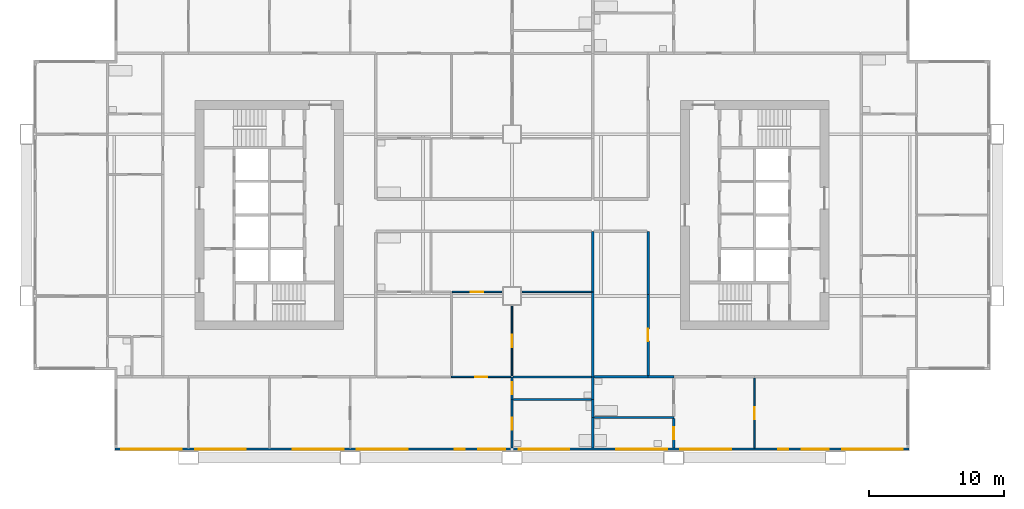
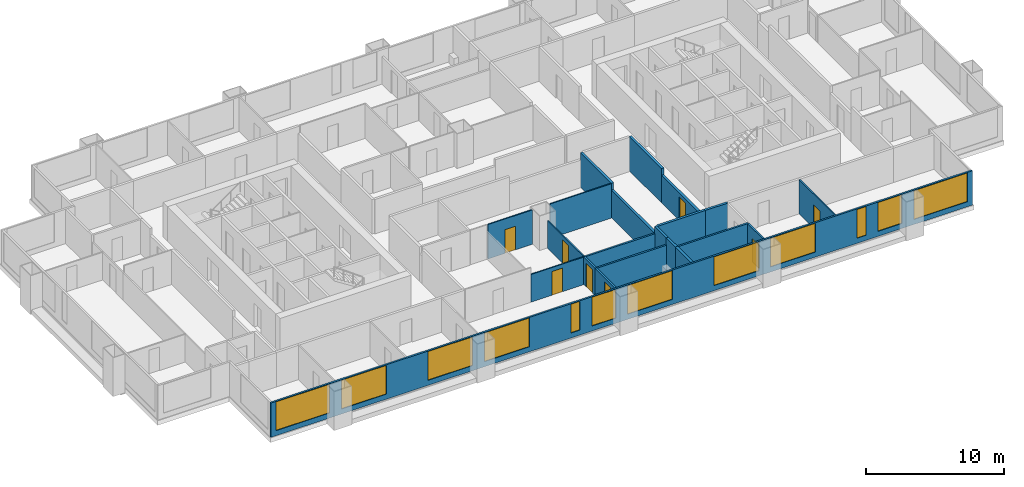
# One storey, part 5 of 11: 21 walls, 12 windows, 8 doors, 20 openings.
"""IFC4 building model written with IfcOpenShell, lengths in metres."""

from ifc_helpers import new_model, si_unit, direction, frame, frame_2d, origin, place, context, subcontext, project, spatial, rectangle, extrude, material, layer, layer_set, type_object, element, fill, save


model = new_model("IFC4")

# Units and contexts
model_context = context("Model", 3, precision=1e-05, world=origin(), true_north=direction((0.0, 1.0)))
body_context = subcontext(model_context, "Body", "Model", "MODEL_VIEW")
ifc_project = project(units=[si_unit("LENGTHUNIT", "METRE"), si_unit("AREAUNIT", "SQUARE_METRE"), si_unit("VOLUMEUNIT", "CUBIC_METRE"), si_unit("PLANEANGLEUNIT", "RADIAN"), si_unit("MASSUNIT", "GRAM", prefix="KILO")], contexts=[model_context])

# Site, building, storey
site_placement = place(None, origin())
site = spatial("IfcSite", under=ifc_project, at=site_placement, CompositionType="ELEMENT")
building_placement = place(site_placement, origin())
building = spatial("IfcBuilding", under=site, at=building_placement, Name="Kitamizu Gate Tower and Museum", CompositionType="ELEMENT")
storey_placement = place(building_placement, frame((0.0, 0.0, 120.75)))
storey = spatial("IfcBuildingStorey", under=building, at=storey_placement, Name="L31", CompositionType="ELEMENT", Elevation=120.75)

# Wall, opening, door
ifc_material_1 = material(Name="Gypsum board on galvanised stud")
ifc_layer_1 = layer(ifc_material_1, 0.10009765625)
ifc_layer_set_1 = layer_set([ifc_layer_1], Name="Gypsum board on galvanised stud")
wall_type_1 = type_object("IfcWallType", Name="Partition 100 NOT RATED", PredefinedType="PARTITIONING", material=ifc_layer_set_1)
wall_1_placement = place(storey_placement, frame((35.925048828125, 18.0, 0.0), z_axis=(0.0, 0.0, 1.0), x_axis=(-1.0, 0.0, 0.0)))
wall_1 = element("IfcWall", 1, at=wall_1_placement, inside=storey, type_object=wall_type_1, Name="Partition L31-012", PredefinedType="PARTITIONING", context=body_context, shape_type="SweptSolid", body=[
    extrude(rectangle(XDim=4.425048828125, YDim=0.10009765625, at=frame_2d((2.21240234375, 0.0))), origin(), (0.0, 0.0, 1.0), 2.449951171875),
])
opening_1_placement = place(wall_1_placement, frame((1.762451171875, 0.0, 0.0)))
opening_1 = element("IfcOpeningElement", 2, at=opening_1_placement, cuts=wall_1, Name="Opening L31-004", PredefinedType="OPENING", context=body_context, shape_type="SweptSolid", body=[
    extrude(rectangle(XDim=0.89990234375, YDim=2.10009765625, at=frame_2d((0.449951171875, 1.050048828125))), frame((0.0, 0.06005859375, 0.0), z_axis=(0.0, -1.0, 0.0), x_axis=(1.0, 0.0, 0.0)), (0.0, 0.0, 1.0), 0.1201171875),
])
ifc_material_2 = material(Name="Timber door set", Category="wood")
door_type_1 = type_object("IfcDoorType", Name="Room door 900", OperationType="NOTDEFINED", PredefinedType="DOOR", material=ifc_material_2)
door_1_placement = place(opening_1_placement, frame((0.89990234375, 0.0, 0.0), x_axis=(-1.0, 0.0, 0.0)))
door_1 = element("IfcDoor", 3, at=door_1_placement, inside=storey, type_object=door_type_1, Name="Door L31-004", OperationType="SINGLE_SWING_RIGHT", OverallHeight=2.10009765625, OverallWidth=0.89990234375, PredefinedType="DOOR", context=body_context, shape_type="SweptSolid", body=[
    extrude(rectangle(XDim=0.89990234375, YDim=2.10009765625, at=frame_2d((0.449951171875, 1.050048828125))), frame((0.0, 0.02490234375, 0.0), z_axis=(0.0, -1.0, 0.0), x_axis=(1.0, 0.0, 0.0)), (0.0, 0.0, 1.0), 0.050048828125),
])
fill(opening_1, door_1)

wall_2_placement = place(storey_placement, frame((36.0, 18.074951171875, 0.0), z_axis=(0.0, 0.0, 1.0), x_axis=(0.0, 1.0, 0.0)))
wall_2 = element("IfcWall", 4, at=wall_2_placement, inside=storey, type_object=wall_type_1, Name="Partition L31-024", PredefinedType="PARTITIONING", context=body_context, shape_type="SweptSolid", body=[
    extrude(rectangle(XDim=5.175048828125, YDim=0.10009765625, at=frame_2d((2.58740234375, 0.0))), origin(), (0.0, 0.0, 1.0), 2.449951171875),
])
opening_2_placement = place(wall_2_placement, frame((2.137451171875, 0.0, 0.0)))
opening_2 = element("IfcOpeningElement", 5, at=opening_2_placement, cuts=wall_2, Name="Opening L31-008", PredefinedType="OPENING", context=body_context, shape_type="SweptSolid", body=[
    extrude(rectangle(XDim=0.89990234375, YDim=2.10009765625, at=frame_2d((0.449951171875, 1.050048828125))), frame((0.0, 0.06005859375, 0.0), z_axis=(0.0, -1.0, 0.0), x_axis=(1.0, 0.0, 0.0)), (0.0, 0.0, 1.0), 0.1201171875),
])
door_2_placement = place(opening_2_placement, origin())
door_2 = element("IfcDoor", 6, at=door_2_placement, inside=storey, type_object=door_type_1, Name="Door L31-008", OperationType="SINGLE_SWING_LEFT", OverallHeight=2.10009765625, OverallWidth=0.89990234375, PredefinedType="DOOR", context=body_context, shape_type="SweptSolid", body=[
    extrude(rectangle(XDim=0.89990234375, YDim=2.10009765625, at=frame_2d((0.449951171875, 1.050048828125))), frame((0.0, 0.02490234375, 0.0), z_axis=(0.0, -1.0, 0.0), x_axis=(1.0, 0.0, 0.0)), (0.0, 0.0, 1.0), 0.050048828125),
])
fill(opening_2, door_2)

wall_3_placement = place(storey_placement, frame((35.25, 24.300048828125, 0.0), z_axis=(0.0, 0.0, 1.0), x_axis=(-1.0, 0.0, 0.0)))
wall_3 = element("IfcWall", 7, at=wall_3_placement, inside=storey, type_object=wall_type_1, Name="Partition L31-025", PredefinedType="PARTITIONING", context=body_context, shape_type="SweptSolid", body=[
    extrude(rectangle(XDim=3.699951171875, YDim=0.10009765625, at=frame_2d((1.85009765625, 0.0))), origin(), (0.0, 0.0, 1.0), 3.050048828125),
])
opening_3_placement = place(wall_3_placement, frame((1.39990234375, 0.0, 0.0)))
opening_3 = element("IfcOpeningElement", 8, at=opening_3_placement, cuts=wall_3, Name="Opening L31-010", PredefinedType="OPENING", context=body_context, shape_type="SweptSolid", body=[
    extrude(rectangle(XDim=0.89990234375, YDim=2.10009765625, at=frame_2d((0.449951171875, 1.050048828125))), frame((0.0, 0.06005859375, 0.0), z_axis=(0.0, -1.0, 0.0), x_axis=(1.0, 0.0, 0.0)), (0.0, 0.0, 1.0), 0.1201171875),
])
door_3_placement = place(opening_3_placement, origin())
door_3 = element("IfcDoor", 9, at=door_3_placement, inside=storey, type_object=door_type_1, Name="Door L31-010", OperationType="SINGLE_SWING_LEFT", OverallHeight=2.10009765625, OverallWidth=0.89990234375, PredefinedType="DOOR", context=body_context, shape_type="SweptSolid", body=[
    extrude(rectangle(XDim=0.89990234375, YDim=2.10009765625, at=frame_2d((0.449951171875, 1.050048828125))), frame((0.0, 0.02490234375, 0.0), z_axis=(0.0, -1.0, 0.0), x_axis=(1.0, 0.0, 0.0)), (0.0, 0.0, 1.0), 0.050048828125),
])
fill(opening_3, door_3)

# Wall
wall_4_placement = place(storey_placement, frame((41.89990234375, 24.300048828125, 0.0), z_axis=(0.0, 0.0, 1.0), x_axis=(-1.0, 0.0, 0.0)))
element("IfcWall", 10, at=wall_4_placement, inside=storey, type_object=wall_type_1, Name="Partition L31-026", PredefinedType="PARTITIONING", context=body_context, shape_type="SweptSolid", body=[
    extrude(rectangle(XDim=5.14990234375, YDim=0.10009765625, at=frame_2d((2.574951171875, 0.0))), origin(), (0.0, 0.0, 1.0), 3.050048828125),
])

# Wall, opening, door
wall_5_placement = place(storey_placement, frame((54.0, 12.719970703125, 0.0), z_axis=(0.0, 0.0, 1.0), x_axis=(0.0, 1.0, 0.0)))
wall_5 = element("IfcWall", 11, at=wall_5_placement, inside=storey, type_object=wall_type_1, Name="Partition L31-091", PredefinedType="PARTITIONING", context=body_context, shape_type="SweptSolid", body=[
    extrude(rectangle(XDim=5.179931640625, YDim=0.10009765625, at=frame_2d((2.58984375, 0.0))), origin(), (0.0, 0.0, 1.0), 3.050048828125),
])
opening_4_placement = place(wall_5_placement, frame((2.139892578125, 0.0, 0.0)))
opening_4 = element("IfcOpeningElement", 12, at=opening_4_placement, cuts=wall_5, Name="Opening L31-032", PredefinedType="OPENING", context=body_context, shape_type="SweptSolid", body=[
    extrude(rectangle(XDim=0.89990234375, YDim=2.10009765625, at=frame_2d((0.449951171875, 1.050048828125))), frame((0.0, 0.06005859375, 0.0), z_axis=(0.0, -1.0, 0.0), x_axis=(1.0, 0.0, 0.0)), (0.0, 0.0, 1.0), 0.1201171875),
])
door_4_placement = place(opening_4_placement, frame((0.89990234375, 0.0, 0.0), x_axis=(-1.0, 0.0, 0.0)))
door_4 = element("IfcDoor", 13, at=door_4_placement, inside=storey, type_object=door_type_1, Name="Door L31-032", OperationType="SINGLE_SWING_RIGHT", OverallHeight=2.10009765625, OverallWidth=0.89990234375, PredefinedType="DOOR", context=body_context, shape_type="SweptSolid", body=[
    extrude(rectangle(XDim=0.89990234375, YDim=2.10009765625, at=frame_2d((0.449951171875, 1.050048828125))), frame((0.0, 0.02490234375, 0.0), z_axis=(0.0, -1.0, 0.0), x_axis=(1.0, 0.0, 0.0)), (0.0, 0.0, 1.0), 0.050048828125),
])
fill(opening_4, door_4)

ifc_material_3 = material(Name="Gypsum board on galvanised stud")
ifc_layer_2 = layer(ifc_material_3, 0.14990234375)
ifc_layer_set_2 = layer_set([ifc_layer_2], Name="Gypsum board on galvanised stud")
wall_type_2 = type_object("IfcWallType", Name="Partition 150", PredefinedType="PARTITIONING", material=ifc_layer_set_2)
wall_6_placement = place(storey_placement, frame((36.0, 12.719970703125, 0.0), z_axis=(0.0, 0.0, 1.0), x_axis=(0.0, 1.0, 0.0)))
wall_6 = element("IfcWall", 14, at=wall_6_placement, inside=storey, type_object=wall_type_2, Name="Partition L31-009", PredefinedType="PARTITIONING", context=body_context, shape_type="SweptSolid", body=[
    extrude(rectangle(XDim=3.60009765625, YDim=0.14990234375, at=frame_2d((1.800048828125, 0.0))), origin(), (0.0, 0.0, 1.0), 2.449951171875),
])
opening_5_placement = place(wall_6_placement, frame((1.35009765625, 0.0, 0.0)))
opening_5 = element("IfcOpeningElement", 15, at=opening_5_placement, cuts=wall_6, Name="Opening L31-005", PredefinedType="OPENING", context=body_context, shape_type="SweptSolid", body=[
    extrude(rectangle(XDim=0.89990234375, YDim=2.10009765625, at=frame_2d((0.449951171875, 1.050048828125))), frame((0.0, 0.0849609375, 0.0), z_axis=(0.0, -1.0, 0.0), x_axis=(1.0, 0.0, 0.0)), (0.0, 0.0, 1.0), 0.169921875),
])
ifc_material_4 = material(Name="Timber door set", Category="wood")
door_type_2 = type_object("IfcDoorType", Name="Bathroom door 900", OperationType="NOTDEFINED", PredefinedType="DOOR", material=ifc_material_4)
door_5_placement = place(opening_5_placement, frame((0.89990234375, 0.0, 0.0), x_axis=(-1.0, 0.0, 0.0)))
door_5 = element("IfcDoor", 16, at=door_5_placement, inside=storey, type_object=door_type_2, Name="Bathroom door L31-005", OperationType="SINGLE_SWING_LEFT", OverallHeight=2.10009765625, OverallWidth=0.89990234375, PredefinedType="DOOR", context=body_context, shape_type="SweptSolid", body=[
    extrude(rectangle(XDim=0.89990234375, YDim=2.10009765625, at=frame_2d((0.449951171875, 1.050048828125))), frame((0.0, 0.02490234375, 0.0), z_axis=(0.0, -1.0, 0.0), x_axis=(1.0, 0.0, 0.0)), (0.0, 0.0, 1.0), 0.050048828125),
])
fill(opening_5, door_5)

wall_7_placement = place(storey_placement, frame((36.0, 16.320068359375, 0.0), z_axis=(0.0, 0.0, 1.0), x_axis=(0.0, 1.0, 0.0)))
wall_7 = element("IfcWall", 17, at=wall_7_placement, inside=storey, type_object=wall_type_2, Name="Partition L31-010", PredefinedType="PARTITIONING", context=body_context, shape_type="SweptSolid", body=[
    extrude(rectangle(XDim=1.679931640625, YDim=0.14990234375, at=frame_2d((0.83984375, 0.0))), origin(), (0.0, 0.0, 1.0), 2.449951171875),
])
opening_6_placement = place(wall_7_placement, frame((0.389892578125, 0.0, 0.0)))
opening_6 = element("IfcOpeningElement", 18, at=opening_6_placement, cuts=wall_7, Name="Opening L31-007", PredefinedType="OPENING", context=body_context, shape_type="SweptSolid", body=[
    extrude(rectangle(XDim=0.89990234375, YDim=2.10009765625, at=frame_2d((0.449951171875, 1.050048828125))), frame((0.0, 0.0849609375, 0.0), z_axis=(0.0, -1.0, 0.0), x_axis=(1.0, 0.0, 0.0)), (0.0, 0.0, 1.0), 0.169921875),
])
door_6_placement = place(opening_6_placement, frame((0.89990234375, 0.0, 0.0), x_axis=(-1.0, 0.0, 0.0)))
door_6 = element("IfcDoor", 19, at=door_6_placement, inside=storey, type_object=door_type_2, Name="Bathroom door L31-007", OperationType="SINGLE_SWING_LEFT", OverallHeight=2.10009765625, OverallWidth=0.89990234375, PredefinedType="DOOR", context=body_context, shape_type="SweptSolid", body=[
    extrude(rectangle(XDim=0.89990234375, YDim=2.10009765625, at=frame_2d((0.449951171875, 1.050048828125))), frame((0.0, 0.02490234375, 0.0), z_axis=(0.0, -1.0, 0.0), x_axis=(1.0, 0.0, 0.0)), (0.0, 0.0, 1.0), 0.050048828125),
])
fill(opening_6, door_6)

# Walls
for number, where, z_axis, x_axis, name in (
    (20, (41.89990234375, 16.320068359375, 0.0), (0.0, 0.0, 1.0), (-1.0, 0.0, 0.0), "Partition L31-014"),
    (21, (41.89990234375, 18.0, 0.0), (0.0, 0.0, 1.0), (-1.0, 0.0, 0.0), "Partition L31-017"),
):
    element("IfcWall", number, at=place(storey_placement, frame(where, z_axis=z_axis, x_axis=x_axis)), inside=storey, type_object=wall_type_2, Name=name, PredefinedType="PARTITIONING", context=body_context, shape_type="SweptSolid", body=[
        extrude(rectangle(XDim=5.824951171875, YDim=0.14990234375, at=frame_2d((2.91259765625, 0.0))), origin(), (0.0, 0.0, 1.0), 2.449951171875),
    ])
wall_8_placement = place(storey_placement, frame((48.0, 15.0, 0.0), z_axis=(0.0, 0.0, 1.0), x_axis=(-1.0, 0.0, 0.0)))
element("IfcWall", 22, at=wall_8_placement, inside=storey, type_object=wall_type_2, Name="Partition L31-086", PredefinedType="PARTITIONING", context=body_context, shape_type="SweptSolid", body=[
    extrude(rectangle(XDim=5.89990234375, YDim=0.14990234375, at=frame_2d((2.949951171875, 0.0))), origin(), (0.0, 0.0, 1.0), 3.050048828125),
])

# Wall, opening, door
wall_9_placement = place(storey_placement, frame((48.0, 12.719970703125, 0.0), z_axis=(0.0, 0.0, 1.0), x_axis=(0.0, 1.0, 0.0)))
wall_9 = element("IfcWall", 23, at=wall_9_placement, inside=storey, type_object=wall_type_2, Name="Partition L31-087", PredefinedType="PARTITIONING", context=body_context, shape_type="SweptSolid", body=[
    extrude(rectangle(XDim=2.205078125, YDim=0.14990234375, at=frame_2d((1.1025390625, 0.0))), origin(), (0.0, 0.0, 1.0), 3.050048828125),
])
opening_7_placement = place(wall_9_placement, frame((0.652587890625, 0.0, 0.0)))
opening_7 = element("IfcOpeningElement", 24, at=opening_7_placement, cuts=wall_9, Name="Opening L31-033", PredefinedType="OPENING", context=body_context, shape_type="SweptSolid", body=[
    extrude(rectangle(XDim=0.89990234375, YDim=2.10009765625, at=frame_2d((0.449951171875, 1.050048828125))), frame((0.0, 0.0849609375, 0.0), z_axis=(0.0, -1.0, 0.0), x_axis=(1.0, 0.0, 0.0)), (0.0, 0.0, 1.0), 0.169921875),
])
door_7_placement = place(opening_7_placement, origin())
door_7 = element("IfcDoor", 25, at=door_7_placement, inside=storey, type_object=door_type_2, Name="Bathroom door L31-033", OperationType="SINGLE_SWING_RIGHT", OverallHeight=2.10009765625, OverallWidth=0.89990234375, PredefinedType="DOOR", context=body_context, shape_type="SweptSolid", body=[
    extrude(rectangle(XDim=0.89990234375, YDim=2.10009765625, at=frame_2d((0.449951171875, 1.050048828125))), frame((0.0, 0.02490234375, 0.0), z_axis=(0.0, -1.0, 0.0), x_axis=(1.0, 0.0, 0.0)), (0.0, 0.0, 1.0), 0.050048828125),
])
fill(opening_7, door_7)

# Walls
ifc_material_5 = material(Name="Gypsum board on galvanised stud")
ifc_layer_3 = layer(ifc_material_5, 0.199951171875)
ifc_layer_set_3 = layer_set([ifc_layer_3], Name="Gypsum board on galvanised stud")
wall_type_3 = type_object("IfcWallType", Name="Partition 200", PredefinedType="PARTITIONING", material=ifc_layer_set_3)
wall_10_placement = place(storey_placement, frame((42.0, 12.719970703125, 0.0), z_axis=(0.0, 0.0, 1.0), x_axis=(0.0, 1.0, 0.0)))
element("IfcWall", 26, at=wall_10_placement, inside=storey, type_object=wall_type_3, Name="Partition L31-015", PredefinedType="PARTITIONING", context=body_context, shape_type="SweptSolid", body=[
    extrude(rectangle(XDim=2.280029296875, YDim=0.199951171875, at=frame_2d((1.14013671875, 0.0))), origin(), (0.0, 0.0, 1.0), 3.050048828125),
])
wall_11_placement = place(storey_placement, frame((42.0, 15.0, 0.0), z_axis=(0.0, 0.0, 1.0), x_axis=(0.0, 1.0, 0.0)))
element("IfcWall", 27, at=wall_11_placement, inside=storey, type_object=wall_type_3, Name="Partition L31-016", PredefinedType="PARTITIONING", context=body_context, shape_type="SweptSolid", body=[
    extrude(rectangle(XDim=1.320068359375, YDim=0.199951171875, at=frame_2d((0.66015625, 0.0))), origin(), (0.0, 0.0, 1.0), 3.050048828125),
])
wall_12_placement = place(storey_placement, frame((42.0, 16.320068359375, 0.0), z_axis=(0.0, 0.0, 1.0), x_axis=(0.0, 1.0, 0.0)))
element("IfcWall", 28, at=wall_12_placement, inside=storey, type_object=wall_type_3, Name="Partition L31-018", PredefinedType="PARTITIONING", context=body_context, shape_type="SweptSolid", body=[
    extrude(rectangle(XDim=1.679931640625, YDim=0.199951171875, at=frame_2d((0.83984375, 0.0))), origin(), (0.0, 0.0, 1.0), 3.050048828125),
])
wall_13_placement = place(storey_placement, frame((42.0, 18.0, 0.0), z_axis=(0.0, 0.0, 1.0), x_axis=(0.0, 1.0, 0.0)))
element("IfcWall", 29, at=wall_13_placement, inside=storey, type_object=wall_type_3, Name="Partition L31-027", PredefinedType="PARTITIONING", context=body_context, shape_type="SweptSolid", body=[
    extrude(rectangle(XDim=6.300048828125, YDim=0.199951171875, at=frame_2d((3.14990234375, 0.0))), origin(), (0.0, 0.0, 1.0), 2.449951171875),
])
wall_14_placement = place(storey_placement, frame((42.0, 24.300048828125, 0.0), z_axis=(0.0, 0.0, 1.0), x_axis=(0.0, 1.0, 0.0)))
element("IfcWall", 30, at=wall_14_placement, inside=storey, type_object=wall_type_3, Name="Partition L31-031", PredefinedType="PARTITIONING", context=body_context, shape_type="SweptSolid", body=[
    extrude(rectangle(XDim=4.5, YDim=0.199951171875, at=frame_2d((2.25, 0.0))), origin(), (0.0, 0.0, 1.0), 3.050048828125),
])
wall_15_placement = place(storey_placement, frame((46.10009765625, 18.0, 0.0), z_axis=(0.0, 0.0, 1.0), x_axis=(-1.0, 0.0, 0.0)))
element("IfcWall", 31, at=wall_15_placement, inside=storey, type_object=wall_type_3, Name="Partition L31-089", PredefinedType="PARTITIONING", context=body_context, shape_type="SweptSolid", body=[
    extrude(rectangle(XDim=4.0, YDim=0.199951171875, at=frame_2d((2.0, 0.0))), origin(), (0.0, 0.0, 1.0), 3.050048828125),
])
wall_16_placement = place(storey_placement, frame((48.0, 18.0, 0.0), z_axis=(0.0, 0.0, 1.0), x_axis=(-1.0, 0.0, 0.0)))
element("IfcWall", 32, at=wall_16_placement, inside=storey, type_object=wall_type_3, Name="Partition L31-090", PredefinedType="PARTITIONING", context=body_context, shape_type="SweptSolid", body=[
    extrude(rectangle(XDim=1.89990234375, YDim=0.199951171875, at=frame_2d((0.949951171875, 0.0))), origin(), (0.0, 0.0, 1.0), 3.050048828125),
])

# Wall, opening, door
wall_17_placement = place(storey_placement, frame((46.10009765625, 18.10009765625, 0.0), z_axis=(0.0, 0.0, 1.0), x_axis=(0.0, 1.0, 0.0)))
wall_17 = element("IfcWall", 33, at=wall_17_placement, inside=storey, type_object=wall_type_3, Name="Partition L31-095", PredefinedType="PARTITIONING", context=body_context, shape_type="SweptSolid", body=[
    extrude(rectangle(XDim=6.0, YDim=0.199951171875, at=frame_2d((3.0, 0.0))), origin(), (0.0, 0.0, 1.0), 2.449951171875),
])
opening_8_placement = place(wall_17_placement, frame((2.550048828125, 0.0, 0.0)))
opening_8 = element("IfcOpeningElement", 34, at=opening_8_placement, cuts=wall_17, Name="Opening L31-046", PredefinedType="OPENING", context=body_context, shape_type="SweptSolid", body=[
    extrude(rectangle(XDim=0.89990234375, YDim=2.10009765625, at=frame_2d((0.449951171875, 1.050048828125))), frame((0.0, 0.10986328125, 0.0), z_axis=(0.0, -1.0, 0.0), x_axis=(1.0, 0.0, 0.0)), (0.0, 0.0, 1.0), 0.219970703125),
])
door_8_placement = place(opening_8_placement, origin())
door_8 = element("IfcDoor", 35, at=door_8_placement, inside=storey, type_object=door_type_1, Name="Door L31-046", OperationType="SINGLE_SWING_LEFT", OverallHeight=2.10009765625, OverallWidth=0.89990234375, PredefinedType="DOOR", context=body_context, shape_type="SweptSolid", body=[
    extrude(rectangle(XDim=0.89990234375, YDim=2.10009765625, at=frame_2d((0.449951171875, 1.050048828125))), frame((0.0, 0.02490234375, 0.0), z_axis=(0.0, -1.0, 0.0), x_axis=(1.0, 0.0, 0.0)), (0.0, 0.0, 1.0), 0.050048828125),
])
fill(opening_8, door_8)

# Wall
wall_18_placement = place(storey_placement, frame((46.10009765625, 24.10009765625, 0.0), z_axis=(0.0, 0.0, 1.0), x_axis=(0.0, 1.0, 0.0)))
element("IfcWall", 36, at=wall_18_placement, inside=storey, type_object=wall_type_3, Name="Partition L31-096", PredefinedType="PARTITIONING", context=body_context, shape_type="SweptSolid", body=[
    extrude(rectangle(XDim=4.699951171875, YDim=0.199951171875, at=frame_2d((2.35009765625, 0.0))), origin(), (0.0, 0.0, 1.0), 3.050048828125),
])

# Wall, openings, windows
ifc_material_6 = material(Name="Bronze anodised aluminium frame with insulated spandrel and tinted glass", Category="aluminium")
ifc_layer_4 = layer(ifc_material_6, 0.14990234375)
ifc_layer_set_4 = layer_set([ifc_layer_4], Name="Bronze anodised aluminium frame with insulated spandrel and tinted glass")
wall_type_4 = type_object("IfcWallType", Name="WINDOW WALL 150 BRONZE FRAME EI 30", PredefinedType="ELEMENTEDWALL", material=ifc_layer_set_4)
wall_19_placement = place(storey_placement, frame((6.56005859375, 12.635009765625, 0.0), z_axis=(0.0, 0.0, 1.0), x_axis=(1.0, 0.0, 0.0)))
wall_19 = element("IfcWall", 37, at=wall_19_placement, inside=storey, type_object=wall_type_4, Name="Window wall south L31", PredefinedType="ELEMENTEDWALL", context=body_context, shape_type="SweptSolid", body=[
    extrude(rectangle(XDim=58.8798828125, YDim=0.14990234375, at=frame_2d((29.43994140625, 0.0))), origin(), (0.0, 0.0, 1.0), 3.050048828125),
])
opening_9_placement = place(wall_19_placement, frame((0.43994140625, 0.0, 0.449951171875)))
opening_9 = element("IfcOpeningElement", 38, at=opening_9_placement, cuts=wall_19, Name="Opening W15", PredefinedType="OPENING", context=body_context, shape_type="SweptSolid", body=[
    extrude(rectangle(XDim=4.5, YDim=2.550048828125, at=frame_2d((2.25, 1.27490234375))), frame((0.0, 0.0849609375, 0.0), z_axis=(0.0, -1.0, 0.0), x_axis=(1.0, 0.0, 0.0)), (0.0, 0.0, 1.0), 0.169921875),
])
opening_10_placement = place(wall_19_placement, frame((5.93994140625, 0.0, 0.449951171875)))
opening_10 = element("IfcOpeningElement", 39, at=opening_10_placement, cuts=wall_19, Name="Opening W36", PredefinedType="OPENING", context=body_context, shape_type="SweptSolid", body=[
    extrude(rectangle(XDim=3.75, YDim=2.550048828125, at=frame_2d((1.875, 1.27490234375))), frame((0.0, 0.0849609375, 0.0), z_axis=(0.0, -1.0, 0.0), x_axis=(1.0, 0.0, 0.0)), (0.0, 0.0, 1.0), 0.169921875),
])
opening_11_placement = place(wall_19_placement, frame((13.18994140625, 0.0, 0.449951171875)))
opening_11 = element("IfcOpeningElement", 40, at=opening_11_placement, cuts=wall_19, Name="Opening W36", PredefinedType="OPENING", context=body_context, shape_type="SweptSolid", body=[
    extrude(rectangle(XDim=3.75, YDim=2.550048828125, at=frame_2d((1.875, 1.27490234375))), frame((0.0, 0.0849609375, 0.0), z_axis=(0.0, -1.0, 0.0), x_axis=(1.0, 0.0, 0.0)), (0.0, 0.0, 1.0), 0.169921875),
])
opening_12_placement = place(wall_19_placement, frame((17.93994140625, 0.0, 0.449951171875)))
opening_12 = element("IfcOpeningElement", 41, at=opening_12_placement, cuts=wall_19, Name="Opening W36", PredefinedType="OPENING", context=body_context, shape_type="SweptSolid", body=[
    extrude(rectangle(XDim=3.75, YDim=2.550048828125, at=frame_2d((1.875, 1.27490234375))), frame((0.0, 0.0849609375, 0.0), z_axis=(0.0, -1.0, 0.0), x_axis=(1.0, 0.0, 0.0)), (0.0, 0.0, 1.0), 0.169921875),
])
opening_13_placement = place(wall_19_placement, frame((25.18994140625, 0.0, 0.449951171875)))
opening_13 = element("IfcOpeningElement", 42, at=opening_13_placement, cuts=wall_19, Name="Opening W25", PredefinedType="OPENING", context=body_context, shape_type="SweptSolid", body=[
    extrude(rectangle(XDim=0.75, YDim=2.550048828125, at=frame_2d((0.375, 1.27490234375))), frame((0.0, 0.0849609375, 0.0), z_axis=(0.0, -1.0, 0.0), x_axis=(1.0, 0.0, 0.0)), (0.0, 0.0, 1.0), 0.169921875),
])
opening_14_placement = place(wall_19_placement, frame((26.93994140625, 0.0, 0.449951171875)))
opening_14 = element("IfcOpeningElement", 43, at=opening_14_placement, cuts=wall_19, Name="Opening W2", PredefinedType="OPENING", context=body_context, shape_type="SweptSolid", body=[
    extrude(rectangle(XDim=2.0, YDim=2.550048828125, at=frame_2d((1.0, 1.27490234375))), frame((0.0, 0.0849609375, 0.0), z_axis=(0.0, -1.0, 0.0), x_axis=(1.0, 0.0, 0.0)), (0.0, 0.0, 1.0), 0.169921875),
])
opening_15_placement = place(wall_19_placement, frame((29.93994140625, 0.0, 0.449951171875)))
opening_15 = element("IfcOpeningElement", 44, at=opening_15_placement, cuts=wall_19, Name="Opening W36", PredefinedType="OPENING", context=body_context, shape_type="SweptSolid", body=[
    extrude(rectangle(XDim=3.75, YDim=2.550048828125, at=frame_2d((1.875, 1.27490234375))), frame((0.0, 0.0849609375, 0.0), z_axis=(0.0, -1.0, 0.0), x_axis=(1.0, 0.0, 0.0)), (0.0, 0.0, 1.0), 0.169921875),
])
opening_16_placement = place(wall_19_placement, frame((37.18994140625, 0.0, 0.449951171875)))
opening_16 = element("IfcOpeningElement", 45, at=opening_16_placement, cuts=wall_19, Name="Opening W36", PredefinedType="OPENING", context=body_context, shape_type="SweptSolid", body=[
    extrude(rectangle(XDim=3.75, YDim=2.550048828125, at=frame_2d((1.875, 1.27490234375))), frame((0.0, 0.0849609375, 0.0), z_axis=(0.0, -1.0, 0.0), x_axis=(1.0, 0.0, 0.0)), (0.0, 0.0, 1.0), 0.169921875),
])
opening_17_placement = place(wall_19_placement, frame((41.93994140625, 0.0, 0.449951171875)))
opening_17 = element("IfcOpeningElement", 46, at=opening_17_placement, cuts=wall_19, Name="Opening W36", PredefinedType="OPENING", context=body_context, shape_type="SweptSolid", body=[
    extrude(rectangle(XDim=3.75, YDim=2.550048828125, at=frame_2d((1.875, 1.27490234375))), frame((0.0, 0.0849609375, 0.0), z_axis=(0.0, -1.0, 0.0), x_axis=(1.0, 0.0, 0.0)), (0.0, 0.0, 1.0), 0.169921875),
])
opening_18_placement = place(wall_19_placement, frame((49.18994140625, 0.0, 0.449951171875)))
opening_18 = element("IfcOpeningElement", 47, at=opening_18_placement, cuts=wall_19, Name="Opening W25", PredefinedType="OPENING", context=body_context, shape_type="SweptSolid", body=[
    extrude(rectangle(XDim=0.75, YDim=2.550048828125, at=frame_2d((0.375, 1.27490234375))), frame((0.0, 0.0849609375, 0.0), z_axis=(0.0, -1.0, 0.0), x_axis=(1.0, 0.0, 0.0)), (0.0, 0.0, 1.0), 0.169921875),
])
opening_19_placement = place(wall_19_placement, frame((50.93994140625, 0.0, 0.449951171875)))
opening_19 = element("IfcOpeningElement", 48, at=opening_19_placement, cuts=wall_19, Name="Opening W2", PredefinedType="OPENING", context=body_context, shape_type="SweptSolid", body=[
    extrude(rectangle(XDim=2.0, YDim=2.550048828125, at=frame_2d((1.0, 1.27490234375))), frame((0.0, 0.0849609375, 0.0), z_axis=(0.0, -1.0, 0.0), x_axis=(1.0, 0.0, 0.0)), (0.0, 0.0, 1.0), 0.169921875),
])
opening_20_placement = place(wall_19_placement, frame((53.93994140625, 0.0, 0.449951171875)))
opening_20 = element("IfcOpeningElement", 49, at=opening_20_placement, cuts=wall_19, Name="Opening W15", PredefinedType="OPENING", context=body_context, shape_type="SweptSolid", body=[
    extrude(rectangle(XDim=4.5, YDim=2.550048828125, at=frame_2d((2.25, 1.27490234375))), frame((0.0, 0.0849609375, 0.0), z_axis=(0.0, -1.0, 0.0), x_axis=(1.0, 0.0, 0.0)), (0.0, 0.0, 1.0), 0.169921875),
])
ifc_material_7 = material(Name="Bronze anodised aluminium frame, tinted triple glazing", Category="aluminium")
window_type_1 = type_object("IfcWindowType", Name="WINDOW 2000 x 2550 SILL 450", PartitioningType="SINGLE_PANEL", PredefinedType="WINDOW", material=ifc_material_7)
window_1_placement = place(opening_14_placement, origin())
window_1 = element("IfcWindow", 50, at=window_1_placement, inside=storey, type_object=window_type_1, Name="Window W2 L31", OverallHeight=2.550048828125, OverallWidth=2.0, PartitioningType="SINGLE_PANEL", PredefinedType="WINDOW", context=body_context, shape_type="SweptSolid", body=[
    extrude(rectangle(XDim=2.0, YDim=2.550048828125, at=frame_2d((1.0, 1.27490234375))), frame((0.0, 0.030029296875, 0.0), z_axis=(0.0, -1.0, 0.0), x_axis=(1.0, 0.0, 0.0)), (0.0, 0.0, 1.0), 0.06005859375),
])
fill(opening_14, window_1)
window_2_placement = place(opening_19_placement, origin())
window_2 = element("IfcWindow", 51, at=window_2_placement, inside=storey, type_object=window_type_1, Name="Window W2 L31", OverallHeight=2.550048828125, OverallWidth=2.0, PartitioningType="SINGLE_PANEL", PredefinedType="WINDOW", context=body_context, shape_type="SweptSolid", body=[
    extrude(rectangle(XDim=2.0, YDim=2.550048828125, at=frame_2d((1.0, 1.27490234375))), frame((0.0, 0.030029296875, 0.0), z_axis=(0.0, -1.0, 0.0), x_axis=(1.0, 0.0, 0.0)), (0.0, 0.0, 1.0), 0.06005859375),
])
fill(opening_19, window_2)
ifc_material_8 = material(Name="Bronze anodised aluminium frame, tinted triple glazing", Category="aluminium")
window_type_2 = type_object("IfcWindowType", Name="WINDOW 3750 x 2550 SILL 450", PartitioningType="SINGLE_PANEL", PredefinedType="WINDOW", material=ifc_material_8)
window_3_placement = place(opening_10_placement, origin())
window_3 = element("IfcWindow", 52, at=window_3_placement, inside=storey, type_object=window_type_2, Name="Window W36 L31", OverallHeight=2.550048828125, OverallWidth=3.75, PartitioningType="SINGLE_PANEL", PredefinedType="WINDOW", context=body_context, shape_type="SweptSolid", body=[
    extrude(rectangle(XDim=3.75, YDim=2.550048828125, at=frame_2d((1.875, 1.27490234375))), frame((0.0, 0.030029296875, 0.0), z_axis=(0.0, -1.0, 0.0), x_axis=(1.0, 0.0, 0.0)), (0.0, 0.0, 1.0), 0.06005859375),
])
fill(opening_10, window_3)
window_4_placement = place(opening_11_placement, origin())
window_4 = element("IfcWindow", 53, at=window_4_placement, inside=storey, type_object=window_type_2, Name="Window W36 L31", OverallHeight=2.550048828125, OverallWidth=3.75, PartitioningType="SINGLE_PANEL", PredefinedType="WINDOW", context=body_context, shape_type="SweptSolid", body=[
    extrude(rectangle(XDim=3.75, YDim=2.550048828125, at=frame_2d((1.875, 1.27490234375))), frame((0.0, 0.030029296875, 0.0), z_axis=(0.0, -1.0, 0.0), x_axis=(1.0, 0.0, 0.0)), (0.0, 0.0, 1.0), 0.06005859375),
])
fill(opening_11, window_4)
window_5_placement = place(opening_12_placement, origin())
window_5 = element("IfcWindow", 54, at=window_5_placement, inside=storey, type_object=window_type_2, Name="Window W36 L31", OverallHeight=2.550048828125, OverallWidth=3.75, PartitioningType="SINGLE_PANEL", PredefinedType="WINDOW", context=body_context, shape_type="SweptSolid", body=[
    extrude(rectangle(XDim=3.75, YDim=2.550048828125, at=frame_2d((1.875, 1.27490234375))), frame((0.0, 0.030029296875, 0.0), z_axis=(0.0, -1.0, 0.0), x_axis=(1.0, 0.0, 0.0)), (0.0, 0.0, 1.0), 0.06005859375),
])
fill(opening_12, window_5)
window_6_placement = place(opening_15_placement, origin())
window_6 = element("IfcWindow", 55, at=window_6_placement, inside=storey, type_object=window_type_2, Name="Window W36 L31", OverallHeight=2.550048828125, OverallWidth=3.75, PartitioningType="SINGLE_PANEL", PredefinedType="WINDOW", context=body_context, shape_type="SweptSolid", body=[
    extrude(rectangle(XDim=3.75, YDim=2.550048828125, at=frame_2d((1.875, 1.27490234375))), frame((0.0, 0.030029296875, 0.0), z_axis=(0.0, -1.0, 0.0), x_axis=(1.0, 0.0, 0.0)), (0.0, 0.0, 1.0), 0.06005859375),
])
fill(opening_15, window_6)
window_7_placement = place(opening_16_placement, origin())
window_7 = element("IfcWindow", 56, at=window_7_placement, inside=storey, type_object=window_type_2, Name="Window W36 L31", OverallHeight=2.550048828125, OverallWidth=3.75, PartitioningType="SINGLE_PANEL", PredefinedType="WINDOW", context=body_context, shape_type="SweptSolid", body=[
    extrude(rectangle(XDim=3.75, YDim=2.550048828125, at=frame_2d((1.875, 1.27490234375))), frame((0.0, 0.030029296875, 0.0), z_axis=(0.0, -1.0, 0.0), x_axis=(1.0, 0.0, 0.0)), (0.0, 0.0, 1.0), 0.06005859375),
])
fill(opening_16, window_7)
window_8_placement = place(opening_17_placement, origin())
window_8 = element("IfcWindow", 57, at=window_8_placement, inside=storey, type_object=window_type_2, Name="Window W36 L31", OverallHeight=2.550048828125, OverallWidth=3.75, PartitioningType="SINGLE_PANEL", PredefinedType="WINDOW", context=body_context, shape_type="SweptSolid", body=[
    extrude(rectangle(XDim=3.75, YDim=2.550048828125, at=frame_2d((1.875, 1.27490234375))), frame((0.0, 0.030029296875, 0.0), z_axis=(0.0, -1.0, 0.0), x_axis=(1.0, 0.0, 0.0)), (0.0, 0.0, 1.0), 0.06005859375),
])
fill(opening_17, window_8)
ifc_material_9 = material(Name="Bronze anodised aluminium frame, tinted triple glazing", Category="aluminium")
window_type_3 = type_object("IfcWindowType", Name="WINDOW 4500 x 2550 SILL 450", PartitioningType="SINGLE_PANEL", PredefinedType="WINDOW", material=ifc_material_9)
window_9_placement = place(opening_9_placement, origin())
window_9 = element("IfcWindow", 58, at=window_9_placement, inside=storey, type_object=window_type_3, Name="Window W15 L31", OverallHeight=2.550048828125, OverallWidth=4.5, PartitioningType="SINGLE_PANEL", PredefinedType="WINDOW", context=body_context, shape_type="SweptSolid", body=[
    extrude(rectangle(XDim=4.5, YDim=2.550048828125, at=frame_2d((2.25, 1.27490234375))), frame((0.0, 0.030029296875, 0.0), z_axis=(0.0, -1.0, 0.0), x_axis=(1.0, 0.0, 0.0)), (0.0, 0.0, 1.0), 0.06005859375),
])
fill(opening_9, window_9)
window_10_placement = place(opening_20_placement, origin())
window_10 = element("IfcWindow", 59, at=window_10_placement, inside=storey, type_object=window_type_3, Name="Window W15 L31", OverallHeight=2.550048828125, OverallWidth=4.5, PartitioningType="SINGLE_PANEL", PredefinedType="WINDOW", context=body_context, shape_type="SweptSolid", body=[
    extrude(rectangle(XDim=4.5, YDim=2.550048828125, at=frame_2d((2.25, 1.27490234375))), frame((0.0, 0.030029296875, 0.0), z_axis=(0.0, -1.0, 0.0), x_axis=(1.0, 0.0, 0.0)), (0.0, 0.0, 1.0), 0.06005859375),
])
fill(opening_20, window_10)
ifc_material_10 = material(Name="Bronze anodised aluminium frame, tinted triple glazing", Category="aluminium")
window_type_4 = type_object("IfcWindowType", Name="WINDOW 750 x 2550 SILL 450", PartitioningType="SINGLE_PANEL", PredefinedType="WINDOW", material=ifc_material_10)
window_11_placement = place(opening_13_placement, origin())
window_11 = element("IfcWindow", 60, at=window_11_placement, inside=storey, type_object=window_type_4, Name="Window W25 L31", OverallHeight=2.550048828125, OverallWidth=0.75, PartitioningType="SINGLE_PANEL", PredefinedType="WINDOW", context=body_context, shape_type="SweptSolid", body=[
    extrude(rectangle(XDim=0.75, YDim=2.550048828125, at=frame_2d((0.375, 1.27490234375))), frame((0.0, 0.030029296875, 0.0), z_axis=(0.0, -1.0, 0.0), x_axis=(1.0, 0.0, 0.0)), (0.0, 0.0, 1.0), 0.06005859375),
])
fill(opening_13, window_11)
window_12_placement = place(opening_18_placement, origin())
window_12 = element("IfcWindow", 61, at=window_12_placement, inside=storey, type_object=window_type_4, Name="Window W25 L31", OverallHeight=2.550048828125, OverallWidth=0.75, PartitioningType="SINGLE_PANEL", PredefinedType="WINDOW", context=body_context, shape_type="SweptSolid", body=[
    extrude(rectangle(XDim=0.75, YDim=2.550048828125, at=frame_2d((0.375, 1.27490234375))), frame((0.0, 0.030029296875, 0.0), z_axis=(0.0, -1.0, 0.0), x_axis=(1.0, 0.0, 0.0)), (0.0, 0.0, 1.0), 0.06005859375),
])
fill(opening_18, window_12)

save(model, "model.ifc")
